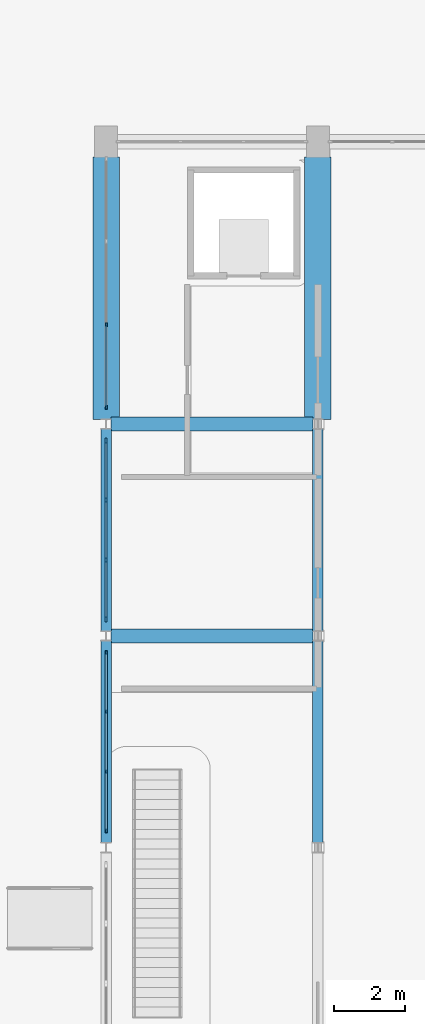
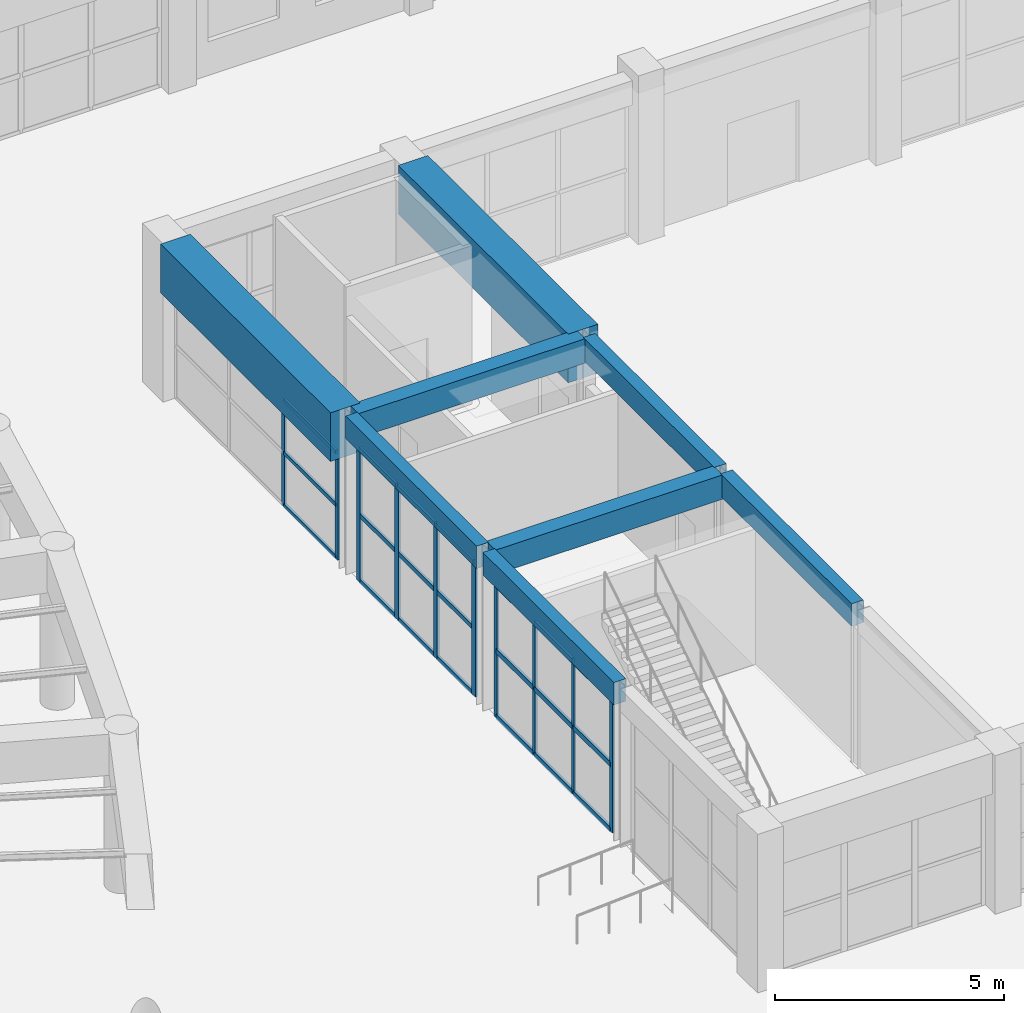
# One storey, part 17 of 76: 31 members, 8 beams, 3 elements without a shape of their own.
"""IFC4 building model written with IfcOpenShell, lengths in metres."""

from ifc_helpers import new_model, si_unit, direction, frame, origin, origin_2d, place, context, subcontext, project, spatial, rectangle, extrude, material, layer, layer_set, material_profile, profile_set, type_object, element, aggregate, save


model = new_model("IFC4")

# Units and contexts
model_context = context("Model", 3, precision=1e-05, world=origin(), true_north=direction((0.0, 1.0)))
body_context = subcontext(model_context, "Body", "Model", "MODEL_VIEW")
ifc_project = project(units=[si_unit("LENGTHUNIT", "METRE"), si_unit("AREAUNIT", "SQUARE_METRE"), si_unit("VOLUMEUNIT", "CUBIC_METRE"), si_unit("PLANEANGLEUNIT", "RADIAN"), si_unit("MASSUNIT", "GRAM", prefix="KILO"), si_unit("POWERUNIT", "WATT"), si_unit("THERMODYNAMICTEMPERATUREUNIT", "KELVIN")], contexts=[model_context])

# Site, building, storey
site_placement = place(None, origin())
site = spatial("IfcSite", under=ifc_project, at=site_placement, CompositionType="ELEMENT")
building_placement = place(site_placement, origin())
building = spatial("IfcBuilding", under=site, at=building_placement, Name="Ruvembo Vaulted Housing Court", CompositionType="ELEMENT")
storey_placement = place(building_placement, origin())
storey = spatial("IfcBuildingStorey", under=building, at=storey_placement, Name="L00", CompositionType="ELEMENT", Elevation=0.0)

# Beams
ifc_material_1 = material(Name="Concrete C35/45", Category="concrete")
ifc_material_profile_1 = material_profile(ifc_material_1, rectangle(XDim=0.300048828125, YDim=0.60009765625, at=origin_2d()), Name="RC 300x600")
ifc_profile_set_1 = profile_set([ifc_material_profile_1], Name="Concrete C35/45")
beam_type_1 = type_object("IfcBeamType", Name="BM-RC-300x600", PredefinedType="BEAM", material=ifc_profile_set_1)
for number, where, z_axis, x_axis, name in (
    (1, (66.0, 48.135009765625, 3.929931640625), (0.0, 1.0, 0.0), (-1.0, 0.0, 0.0), "L00 Grid Beam Y #1008"),
    (2, (66.0, 54.135009765625, 3.929931640625), (0.0, 1.0, 0.0), (-1.0, 0.0, 0.0), "L00 Grid Beam Y #1009"),
    (3, (72.0, 48.135009765625, 3.929931640625), (0.0, 1.0, 0.0), (-1.0, 0.0, 0.0), "L00 Grid Beam Y #1016"),
    (4, (72.0, 54.135009765625, 3.929931640625), (0.0, 1.0, 0.0), (-1.0, 0.0, 0.0), "L00 Grid Beam Y #1017"),
):
    element("IfcBeam", number, at=place(storey_placement, frame(where, z_axis=z_axis, x_axis=x_axis)), inside=storey, type_object=beam_type_1, Name=name, PredefinedType="BEAM", context=body_context, shape_type="SweptSolid", body=[
        extrude(rectangle(XDim=0.300048828125, YDim=0.60009765625, at=origin_2d()), origin(), (0.0, 0.0, 1.0), 5.72998046875),
    ])
ifc_material_profile_2 = material_profile(ifc_material_1, rectangle(XDim=0.39990234375, YDim=0.64990234375, at=origin_2d()), Name="RC 400x650")
ifc_profile_set_2 = profile_set([ifc_material_profile_2], Name="Concrete C35/45")
beam_type_2 = type_object("IfcBeamType", Name="BM-RC-400x650", PredefinedType="BEAM", material=ifc_profile_set_2)
for number, where, z_axis, x_axis, name in (
    (5, (66.135009765625, 54.0, 3.905029296875), (1.0, 0.0, 0.0), (0.0, 1.0, 0.0), "L00 Grid Beam X #843"),
    (6, (66.135009765625, 60.0, 3.905029296875), (1.0, 0.0, 0.0), (0.0, 1.0, 0.0), "L00 Grid Beam X #844"),
):
    element("IfcBeam", number, at=place(storey_placement, frame(where, z_axis=z_axis, x_axis=x_axis)), inside=storey, type_object=beam_type_2, Name=name, PredefinedType="BEAM", context=body_context, shape_type="SweptSolid", body=[
        extrude(rectangle(XDim=0.39990234375, YDim=0.64990234375, at=origin_2d()), origin(), (0.0, 0.0, 1.0), 5.72998046875),
    ])

# Curtain wall, members
ifc_material_2 = material(Name="Anodised Aluminium and Solar-Control Glass", Category="aluminium")
ifc_layer = layer(ifc_material_2, 0.179931640625, Name="Anodised Aluminium and Solar-Control Glass")
ifc_layer_set = layer_set([ifc_layer], Name="Anodised Aluminium and Solar-Control Glass")
curtain_wall_type = type_object("IfcCurtainWallType", Name="CW-HALL-TYMP", PredefinedType="NOTDEFINED", material=ifc_layer_set)
curtain_wall_1_placement = place(storey_placement, origin())
curtain_wall_1 = element("IfcCurtainWall", 7, at=curtain_wall_1_placement, inside=storey, type_object=curtain_wall_type, Name="L00 Curtain Wall CW-L00-0115", PredefinedType="NOTDEFINED")
ifc_material_3 = material(Name="Anodised Aluminium 6063-T6", Category="aluminium")
ifc_material_profile_3 = material_profile(ifc_material_3, rectangle(XDim=0.054931640625, YDim=0.1201171875, at=origin_2d()), Name="ALU 55x120")
ifc_profile_set_3 = profile_set([ifc_material_profile_3], Name="Anodised Aluminium 6063-T6")
member_type_1 = type_object("IfcMemberType", Name="CW-MUL-55x120", PredefinedType="MULLION", material=ifc_profile_set_3)
member_1_placement = place(storey_placement, frame((66.0, 48.4775390625, 0.0), z_axis=(0.0, 0.0, 1.0), x_axis=(-1.0, 0.0, 0.0)))
member_1 = element("IfcMember", 8, at=member_1_placement, type_object=member_type_1, Name="CW2 mullion 1", PredefinedType="MULLION", context=body_context, shape_type="SweptSolid", body=[
    extrude(rectangle(XDim=0.054931640625, YDim=0.1201171875, at=origin_2d()), origin(), (0.0, 0.0, 1.0), 3.56201171875),
])
member_2_placement = place(storey_placement, frame((66.0, 50.14990234375, 0.0), z_axis=(0.0, 0.0, 1.0), x_axis=(-1.0, 0.0, 0.0)))
member_2 = element("IfcMember", 9, at=member_2_placement, type_object=member_type_1, Name="CW2 mullion 2", PredefinedType="MULLION", context=body_context, shape_type="SweptSolid", body=[
    extrude(rectangle(XDim=0.054931640625, YDim=0.1201171875, at=origin_2d()), origin(), (0.0, 0.0, 1.0), 3.56201171875),
])
member_3_placement = place(storey_placement, frame((66.0, 51.85009765625, 0.0), z_axis=(0.0, 0.0, 1.0), x_axis=(-1.0, 0.0, 0.0)))
member_3 = element("IfcMember", 10, at=member_3_placement, type_object=member_type_1, Name="CW2 mullion 3", PredefinedType="MULLION", context=body_context, shape_type="SweptSolid", body=[
    extrude(rectangle(XDim=0.054931640625, YDim=0.1201171875, at=origin_2d()), origin(), (0.0, 0.0, 1.0), 3.56201171875),
])
member_4_placement = place(storey_placement, frame((66.0, 53.5224609375, 0.0), z_axis=(0.0, 0.0, 1.0), x_axis=(-1.0, 0.0, 0.0)))
member_4 = element("IfcMember", 11, at=member_4_placement, type_object=member_type_1, Name="CW2 mullion 4", PredefinedType="MULLION", context=body_context, shape_type="SweptSolid", body=[
    extrude(rectangle(XDim=0.054931640625, YDim=0.1201171875, at=origin_2d()), origin(), (0.0, 0.0, 1.0), 3.56201171875),
])

curtain_wall_2_placement = place(storey_placement, origin())
curtain_wall_2 = element("IfcCurtainWall", 12, at=curtain_wall_2_placement, inside=storey, type_object=curtain_wall_type, Name="L00 Curtain Wall CW-L00-0119", PredefinedType="NOTDEFINED")
member_5_placement = place(storey_placement, frame((66.0, 60.4775390625, 0.0), z_axis=(0.0, 0.0, 1.0), x_axis=(-1.0, 0.0, 0.0)))
member_5 = element("IfcMember", 13, at=member_5_placement, type_object=member_type_1, Name="CW2 mullion 1", PredefinedType="MULLION", context=body_context, shape_type="SweptSolid", body=[
    extrude(rectangle(XDim=0.054931640625, YDim=0.1201171875, at=origin_2d()), origin(), (0.0, 0.0, 1.0), 2.862060546875),
])
member_6_placement = place(storey_placement, frame((66.0, 62.816650390625, 0.0), z_axis=(0.0, 0.0, 1.0), x_axis=(-1.0, 0.0, 0.0)))
member_6 = element("IfcMember", 14, at=member_6_placement, type_object=member_type_1, Name="CW2 mullion 2", PredefinedType="MULLION", context=body_context, shape_type="SweptSolid", body=[
    extrude(rectangle(XDim=0.054931640625, YDim=0.1201171875, at=origin_2d()), origin(), (0.0, 0.0, 1.0), 2.862060546875),
])

curtain_wall_3_placement = place(storey_placement, origin())
curtain_wall_3 = element("IfcCurtainWall", 15, at=curtain_wall_3_placement, inside=storey, type_object=curtain_wall_type, Name="L00 Curtain Wall CW-L00-0117", PredefinedType="NOTDEFINED")
ifc_material_profile_4 = material_profile(ifc_material_3, rectangle(XDim=0.06005859375, YDim=0.159912109375, at=origin_2d()), Name="ALU 60x160")
ifc_profile_set_4 = profile_set([ifc_material_profile_4], Name="Anodised Aluminium 6063-T6")
member_type_2 = type_object("IfcMemberType", Name="CW-MULLION-65x150", PredefinedType="MULLION", material=ifc_profile_set_4)
member_7_placement = place(storey_placement, frame((66.0, 54.47998046875, 0.0), z_axis=(0.0, 0.0, 1.0), x_axis=(-1.0, 0.0, 0.0)))
member_7 = element("IfcMember", 16, at=member_7_placement, type_object=member_type_2, Name="CW2 mullion 1", PredefinedType="MULLION", context=body_context, shape_type="SweptSolid", body=[
    extrude(rectangle(XDim=0.06005859375, YDim=0.159912109375, at=origin_2d()), origin(), (0.0, 0.0, 1.0), 3.56201171875),
])
member_8_placement = place(storey_placement, frame((66.0, 56.14990234375, 0.0), z_axis=(0.0, 0.0, 1.0), x_axis=(-1.0, 0.0, 0.0)))
member_8 = element("IfcMember", 17, at=member_8_placement, type_object=member_type_2, Name="CW2 mullion 2", PredefinedType="MULLION", context=body_context, shape_type="SweptSolid", body=[
    extrude(rectangle(XDim=0.06005859375, YDim=0.159912109375, at=origin_2d()), origin(), (0.0, 0.0, 1.0), 3.56201171875),
])
member_9_placement = place(storey_placement, frame((66.0, 57.85009765625, 0.0), z_axis=(0.0, 0.0, 1.0), x_axis=(-1.0, 0.0, 0.0)))
member_9 = element("IfcMember", 18, at=member_9_placement, type_object=member_type_2, Name="CW2 mullion 3", PredefinedType="MULLION", context=body_context, shape_type="SweptSolid", body=[
    extrude(rectangle(XDim=0.06005859375, YDim=0.159912109375, at=origin_2d()), origin(), (0.0, 0.0, 1.0), 3.56201171875),
])
member_10_placement = place(storey_placement, frame((66.0, 59.52001953125, 0.0), z_axis=(0.0, 0.0, 1.0), x_axis=(-1.0, 0.0, 0.0)))
member_10 = element("IfcMember", 19, at=member_10_placement, type_object=member_type_2, Name="CW2 mullion 4", PredefinedType="MULLION", context=body_context, shape_type="SweptSolid", body=[
    extrude(rectangle(XDim=0.06005859375, YDim=0.159912109375, at=origin_2d()), origin(), (0.0, 0.0, 1.0), 3.56201171875),
])
ifc_material_profile_5 = material_profile(ifc_material_3, rectangle(XDim=0.06005859375, YDim=0.1201171875, at=origin_2d()), Name="ALU 60x120")
ifc_profile_set_5 = profile_set([ifc_material_profile_5], Name="Anodised Aluminium 6063-T6")
member_type_3 = type_object("IfcMemberType", Name="CW-TRANSOM-65x120", PredefinedType="USERDEFINED", material=ifc_profile_set_5)
member_11_placement = place(storey_placement, frame((66.0, 54.510009765625, 0.030029296875), z_axis=(0.0, 1.0, 0.0), x_axis=(-1.0, 0.0, 0.0)))
member_11 = element("IfcMember", 20, at=member_11_placement, type_object=member_type_3, Name="CW2 transom 1.1", ObjectType="TRANSOM", PredefinedType="USERDEFINED", context=body_context, shape_type="SweptSolid", body=[
    extrude(rectangle(XDim=0.06005859375, YDim=0.1201171875, at=origin_2d()), origin(), (0.0, 0.0, 1.0), 1.610107421875),
])
member_12_placement = place(storey_placement, frame((66.0, 54.510009765625, 1.781005859375), z_axis=(0.0, 1.0, 0.0), x_axis=(-1.0, 0.0, 0.0)))
member_12 = element("IfcMember", 21, at=member_12_placement, type_object=member_type_3, Name="CW2 transom 1.2", ObjectType="TRANSOM", PredefinedType="USERDEFINED", context=body_context, shape_type="SweptSolid", body=[
    extrude(rectangle(XDim=0.06005859375, YDim=0.1201171875, at=origin_2d()), origin(), (0.0, 0.0, 1.0), 1.610107421875),
])
member_13_placement = place(storey_placement, frame((66.0, 54.510009765625, 3.531982421875), z_axis=(0.0, 1.0, 0.0), x_axis=(-1.0, 0.0, 0.0)))
member_13 = element("IfcMember", 22, at=member_13_placement, type_object=member_type_3, Name="CW2 transom 1.3", ObjectType="TRANSOM", PredefinedType="USERDEFINED", context=body_context, shape_type="SweptSolid", body=[
    extrude(rectangle(XDim=0.06005859375, YDim=0.1201171875, at=origin_2d()), origin(), (0.0, 0.0, 1.0), 1.610107421875),
])
member_14_placement = place(storey_placement, frame((66.0, 56.179931640625, 0.030029296875), z_axis=(0.0, 1.0, 0.0), x_axis=(-1.0, 0.0, 0.0)))
member_14 = element("IfcMember", 23, at=member_14_placement, type_object=member_type_3, Name="CW2 transom 2.1", ObjectType="TRANSOM", PredefinedType="USERDEFINED", context=body_context, shape_type="SweptSolid", body=[
    extrude(rectangle(XDim=0.06005859375, YDim=0.1201171875, at=origin_2d()), origin(), (0.0, 0.0, 1.0), 1.64013671875),
])
member_15_placement = place(storey_placement, frame((66.0, 56.179931640625, 1.781005859375), z_axis=(0.0, 1.0, 0.0), x_axis=(-1.0, 0.0, 0.0)))
member_15 = element("IfcMember", 24, at=member_15_placement, type_object=member_type_3, Name="CW2 transom 2.2", ObjectType="TRANSOM", PredefinedType="USERDEFINED", context=body_context, shape_type="SweptSolid", body=[
    extrude(rectangle(XDim=0.06005859375, YDim=0.1201171875, at=origin_2d()), origin(), (0.0, 0.0, 1.0), 1.64013671875),
])
member_16_placement = place(storey_placement, frame((66.0, 56.179931640625, 3.531982421875), z_axis=(0.0, 1.0, 0.0), x_axis=(-1.0, 0.0, 0.0)))
member_16 = element("IfcMember", 25, at=member_16_placement, type_object=member_type_3, Name="CW2 transom 2.3", ObjectType="TRANSOM", PredefinedType="USERDEFINED", context=body_context, shape_type="SweptSolid", body=[
    extrude(rectangle(XDim=0.06005859375, YDim=0.1201171875, at=origin_2d()), origin(), (0.0, 0.0, 1.0), 1.64013671875),
])
member_17_placement = place(storey_placement, frame((66.0, 57.8798828125, 0.030029296875), z_axis=(0.0, 1.0, 0.0), x_axis=(-1.0, 0.0, 0.0)))
member_17 = element("IfcMember", 26, at=member_17_placement, type_object=member_type_3, Name="CW2 transom 3.1", ObjectType="TRANSOM", PredefinedType="USERDEFINED", context=body_context, shape_type="SweptSolid", body=[
    extrude(rectangle(XDim=0.06005859375, YDim=0.1201171875, at=origin_2d()), origin(), (0.0, 0.0, 1.0), 1.610107421875),
])
member_18_placement = place(storey_placement, frame((66.0, 57.8798828125, 1.781005859375), z_axis=(0.0, 1.0, 0.0), x_axis=(-1.0, 0.0, 0.0)))
member_18 = element("IfcMember", 27, at=member_18_placement, type_object=member_type_3, Name="CW2 transom 3.2", ObjectType="TRANSOM", PredefinedType="USERDEFINED", context=body_context, shape_type="SweptSolid", body=[
    extrude(rectangle(XDim=0.06005859375, YDim=0.1201171875, at=origin_2d()), origin(), (0.0, 0.0, 1.0), 1.610107421875),
])
member_19_placement = place(storey_placement, frame((66.0, 57.8798828125, 3.531982421875), z_axis=(0.0, 1.0, 0.0), x_axis=(-1.0, 0.0, 0.0)))
member_19 = element("IfcMember", 28, at=member_19_placement, type_object=member_type_3, Name="CW2 transom 3.3", ObjectType="TRANSOM", PredefinedType="USERDEFINED", context=body_context, shape_type="SweptSolid", body=[
    extrude(rectangle(XDim=0.06005859375, YDim=0.1201171875, at=origin_2d()), origin(), (0.0, 0.0, 1.0), 1.610107421875),
])
aggregate(curtain_wall_3, [member_7, member_8, member_9, member_10, member_11, member_12, member_13, member_14, member_15, member_16, member_17, member_18, member_19])

# Member
ifc_material_profile_6 = material_profile(ifc_material_3, rectangle(XDim=0.06005859375, YDim=0.10009765625, at=origin_2d()), Name="ALU 60x100")
ifc_profile_set_6 = profile_set([ifc_material_profile_6], Name="Anodised Aluminium 6063-T6")
member_type_4 = type_object("IfcMemberType", Name="CW-TRN-60x100", PredefinedType="USERDEFINED", material=ifc_profile_set_6)
member_20_placement = place(storey_placement, frame((66.0, 60.5048828125, 0.030029296875), z_axis=(0.0, 1.0, 0.0), x_axis=(-1.0, 0.0, 0.0)))
member_20 = element("IfcMember", 29, at=member_20_placement, type_object=member_type_4, Name="CW2 transom 1.1", ObjectType="TRANSOM", PredefinedType="USERDEFINED", context=body_context, shape_type="SweptSolid", body=[
    extrude(rectangle(XDim=0.06005859375, YDim=0.10009765625, at=origin_2d()), origin(), (0.0, 0.0, 1.0), 2.2841796875),
])

member_21_placement = place(storey_placement, frame((66.0, 60.5048828125, 1.430908203125), z_axis=(0.0, 1.0, 0.0), x_axis=(-1.0, 0.0, 0.0)))
member_21 = element("IfcMember", 30, at=member_21_placement, type_object=member_type_4, Name="CW2 transom 1.2", ObjectType="TRANSOM", PredefinedType="USERDEFINED", context=body_context, shape_type="SweptSolid", body=[
    extrude(rectangle(XDim=0.06005859375, YDim=0.10009765625, at=origin_2d()), origin(), (0.0, 0.0, 1.0), 2.2841796875),
])

member_22_placement = place(storey_placement, frame((66.0, 60.5048828125, 2.83203125), z_axis=(0.0, 1.0, 0.0), x_axis=(-1.0, 0.0, 0.0)))
member_22 = element("IfcMember", 31, at=member_22_placement, type_object=member_type_4, Name="CW2 transom 1.3", ObjectType="TRANSOM", PredefinedType="USERDEFINED", context=body_context, shape_type="SweptSolid", body=[
    extrude(rectangle(XDim=0.06005859375, YDim=0.10009765625, at=origin_2d()), origin(), (0.0, 0.0, 1.0), 2.2841796875),
])

aggregate(curtain_wall_2, [member_5, member_6, member_20, member_21, member_22])

ifc_material_profile_7 = material_profile(ifc_material_3, rectangle(XDim=0.06494140625, YDim=0.135009765625, at=origin_2d()), Name="ALU 65x135")
ifc_profile_set_7 = profile_set([ifc_material_profile_7], Name="Anodised Aluminium 6063-T6")
member_type_5 = type_object("IfcMemberType", Name="CW-TRN-65x135", PredefinedType="USERDEFINED", material=ifc_profile_set_7)
member_23_placement = place(storey_placement, frame((66.0, 48.5048828125, 0.032470703125), z_axis=(0.0, 1.0, 0.0), x_axis=(-1.0, 0.0, 0.0)))
member_23 = element("IfcMember", 32, at=member_23_placement, type_object=member_type_5, Name="CW2 transom 1.1", ObjectType="TRANSOM", PredefinedType="USERDEFINED", context=body_context, shape_type="SweptSolid", body=[
    extrude(rectangle(XDim=0.06494140625, YDim=0.135009765625, at=origin_2d()), origin(), (0.0, 0.0, 1.0), 1.61767578125),
])

member_24_placement = place(storey_placement, frame((66.0, 48.5048828125, 1.781005859375), z_axis=(0.0, 1.0, 0.0), x_axis=(-1.0, 0.0, 0.0)))
member_24 = element("IfcMember", 33, at=member_24_placement, type_object=member_type_5, Name="CW2 transom 1.2", ObjectType="TRANSOM", PredefinedType="USERDEFINED", context=body_context, shape_type="SweptSolid", body=[
    extrude(rectangle(XDim=0.06494140625, YDim=0.135009765625, at=origin_2d()), origin(), (0.0, 0.0, 1.0), 1.61767578125),
])

member_25_placement = place(storey_placement, frame((66.0, 48.5048828125, 3.529541015625), z_axis=(0.0, 1.0, 0.0), x_axis=(-1.0, 0.0, 0.0)))
member_25 = element("IfcMember", 34, at=member_25_placement, type_object=member_type_5, Name="CW2 transom 1.3", ObjectType="TRANSOM", PredefinedType="USERDEFINED", context=body_context, shape_type="SweptSolid", body=[
    extrude(rectangle(XDim=0.06494140625, YDim=0.135009765625, at=origin_2d()), origin(), (0.0, 0.0, 1.0), 1.61767578125),
])

member_26_placement = place(storey_placement, frame((66.0, 50.177490234375, 0.032470703125), z_axis=(0.0, 1.0, 0.0), x_axis=(-1.0, 0.0, 0.0)))
member_26 = element("IfcMember", 35, at=member_26_placement, type_object=member_type_5, Name="CW2 transom 2.1", ObjectType="TRANSOM", PredefinedType="USERDEFINED", context=body_context, shape_type="SweptSolid", body=[
    extrude(rectangle(XDim=0.06494140625, YDim=0.135009765625, at=origin_2d()), origin(), (0.0, 0.0, 1.0), 1.64501953125),
])

member_27_placement = place(storey_placement, frame((66.0, 50.177490234375, 1.781005859375), z_axis=(0.0, 1.0, 0.0), x_axis=(-1.0, 0.0, 0.0)))
member_27 = element("IfcMember", 36, at=member_27_placement, type_object=member_type_5, Name="CW2 transom 2.2", ObjectType="TRANSOM", PredefinedType="USERDEFINED", context=body_context, shape_type="SweptSolid", body=[
    extrude(rectangle(XDim=0.06494140625, YDim=0.135009765625, at=origin_2d()), origin(), (0.0, 0.0, 1.0), 1.64501953125),
])

member_28_placement = place(storey_placement, frame((66.0, 50.177490234375, 3.529541015625), z_axis=(0.0, 1.0, 0.0), x_axis=(-1.0, 0.0, 0.0)))
member_28 = element("IfcMember", 37, at=member_28_placement, type_object=member_type_5, Name="CW2 transom 2.3", ObjectType="TRANSOM", PredefinedType="USERDEFINED", context=body_context, shape_type="SweptSolid", body=[
    extrude(rectangle(XDim=0.06494140625, YDim=0.135009765625, at=origin_2d()), origin(), (0.0, 0.0, 1.0), 1.64501953125),
])

member_29_placement = place(storey_placement, frame((66.0, 51.87744140625, 0.032470703125), z_axis=(0.0, 1.0, 0.0), x_axis=(-1.0, 0.0, 0.0)))
member_29 = element("IfcMember", 38, at=member_29_placement, type_object=member_type_5, Name="CW2 transom 3.1", ObjectType="TRANSOM", PredefinedType="USERDEFINED", context=body_context, shape_type="SweptSolid", body=[
    extrude(rectangle(XDim=0.06494140625, YDim=0.135009765625, at=origin_2d()), origin(), (0.0, 0.0, 1.0), 1.61767578125),
])

member_30_placement = place(storey_placement, frame((66.0, 51.87744140625, 1.781005859375), z_axis=(0.0, 1.0, 0.0), x_axis=(-1.0, 0.0, 0.0)))
member_30 = element("IfcMember", 39, at=member_30_placement, type_object=member_type_5, Name="CW2 transom 3.2", ObjectType="TRANSOM", PredefinedType="USERDEFINED", context=body_context, shape_type="SweptSolid", body=[
    extrude(rectangle(XDim=0.06494140625, YDim=0.135009765625, at=origin_2d()), origin(), (0.0, 0.0, 1.0), 1.61767578125),
])

member_31_placement = place(storey_placement, frame((66.0, 51.87744140625, 3.529541015625), z_axis=(0.0, 1.0, 0.0), x_axis=(-1.0, 0.0, 0.0)))
member_31 = element("IfcMember", 40, at=member_31_placement, type_object=member_type_5, Name="CW2 transom 3.3", ObjectType="TRANSOM", PredefinedType="USERDEFINED", context=body_context, shape_type="SweptSolid", body=[
    extrude(rectangle(XDim=0.06494140625, YDim=0.135009765625, at=origin_2d()), origin(), (0.0, 0.0, 1.0), 1.61767578125),
])

aggregate(curtain_wall_1, [member_1, member_2, member_3, member_4, member_23, member_24, member_25, member_26, member_27, member_28, member_29, member_30, member_31])

# Beams
ifc_material_4 = material(Name="Concrete C40/50", Category="concrete")
ifc_material_profile_8 = material_profile(ifc_material_4, rectangle(XDim=0.75, YDim=1.300048828125, at=origin_2d()), Name="RC 750x1300")
ifc_profile_set_8 = profile_set([ifc_material_profile_8], Name="Concrete C40/50")
beam_type_3 = type_object("IfcBeamType", Name="TB-RC-750x1300", PredefinedType="BEAM", material=ifc_profile_set_8)
for number, where, z_axis, x_axis, name in (
    (41, (66.0, 60.135009765625, 3.580078125), (0.0, 1.0, 0.0), (-1.0, 0.0, 0.0), "L00 Grid Beam Y #1010"),
    (42, (72.0, 60.135009765625, 3.580078125), (0.0, 1.0, 0.0), (-1.0, 0.0, 0.0), "L00 Grid Beam Y #1018"),
):
    element("IfcBeam", number, at=place(storey_placement, frame(where, z_axis=z_axis, x_axis=x_axis)), inside=storey, type_object=beam_type_3, Name=name, PredefinedType="BEAM", context=body_context, shape_type="SweptSolid", body=[
        extrude(rectangle(XDim=0.75, YDim=1.300048828125, at=origin_2d()), origin(), (0.0, 0.0, 1.0), 7.429931640625),
    ])

save(model, "model.ifc")
